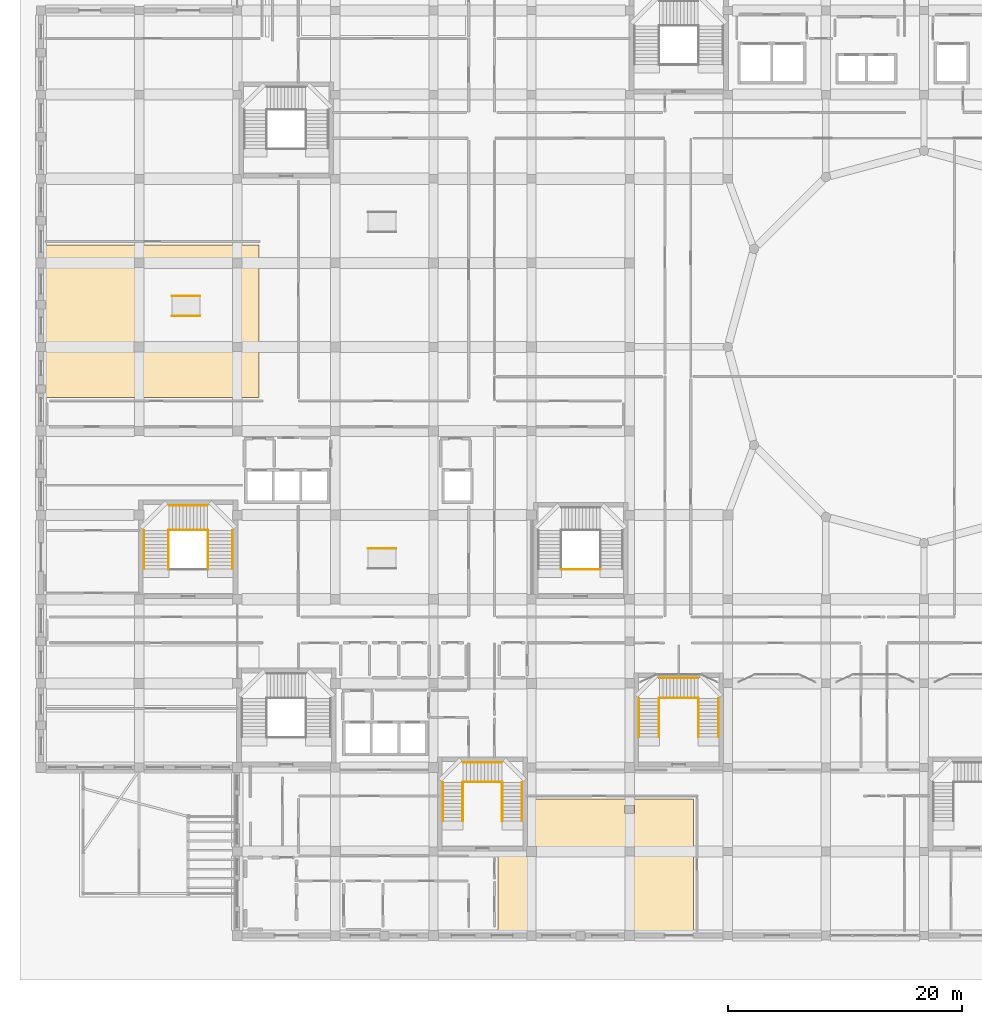
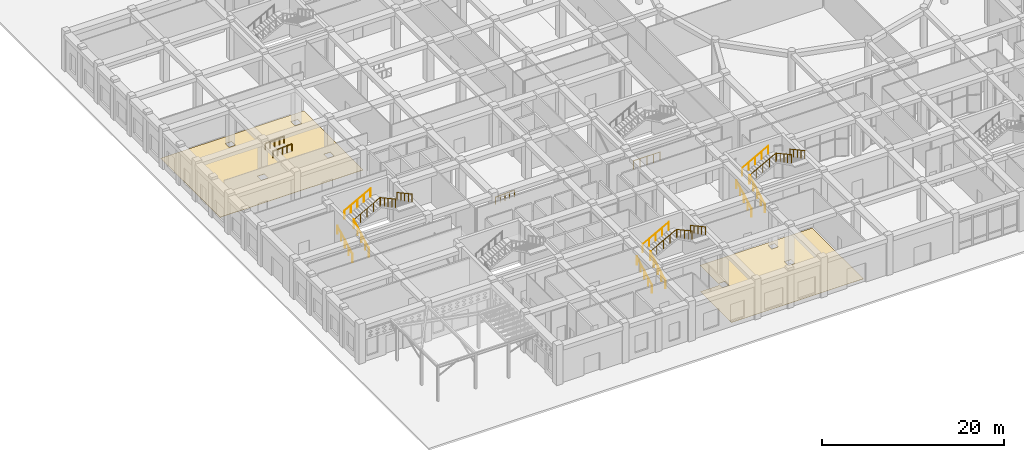
# One storey, part 80 of 84: 22 railings, 2 coverings.
"""IFC4 building model written with IfcOpenShell, lengths in metres."""

from ifc_helpers import new_model, si_unit, derived_unit, direction, frame, origin, origin_2d, place, context, subcontext, project, spatial, polyline, circle, outline, extrude, material, layer, layer_set, type_object, element, save


model = new_model("IFC4")

# Units and contexts
model_context = context("Model", 3, precision=1e-05, world=origin(), true_north=direction((0.0, 1.0)))
body_context = subcontext(model_context, "Body", "Model", "MODEL_VIEW")
ifc_project = project(units=[si_unit("LENGTHUNIT", "METRE"), si_unit("AREAUNIT", "SQUARE_METRE"), si_unit("VOLUMEUNIT", "CUBIC_METRE"), si_unit("PLANEANGLEUNIT", "RADIAN"), si_unit("MASSUNIT", "GRAM", prefix="KILO"), derived_unit("THERMALTRANSMITTANCEUNIT", [(si_unit("POWERUNIT", "WATT"), 1), (si_unit("LENGTHUNIT", "METRE"), -2), (si_unit("THERMODYNAMICTEMPERATUREUNIT", "KELVIN"), -1)])], contexts=[model_context])

# Site, building, storey
site_placement = place(None, origin())
site = spatial("IfcSite", under=ifc_project, at=site_placement, CompositionType="ELEMENT")
building_placement = place(site_placement, origin())
building = spatial("IfcBuilding", under=site, at=building_placement, Name="Veybourne Emporium", CompositionType="ELEMENT")
storey_placement = place(building_placement, origin())
storey = spatial("IfcBuildingStorey", under=building, at=storey_placement, Name="L00", CompositionType="ELEMENT", Elevation=0.0)

# Coverings
ifc_material_1 = material(Name="Venetian Terrazzo Flooring", Category="masonry")
ifc_layer_1 = layer(ifc_material_1, 0.044921875)
ifc_layer_set_1 = layer_set([ifc_layer_1], Name="Venetian Terrazzo Flooring")
covering_type_1 = type_object("IfcCoveringType", Name="Flooring_FLR-01", PredefinedType="FLOORING", material=ifc_layer_set_1)
covering_1_placement = place(storey_placement, origin())
element("IfcCovering", 1, at=covering_1_placement, inside=storey, type_object=covering_type_1, Name="L00 floor finish 03", PredefinedType="FLOORING", context=body_context, shape_type="SweptSolid", body=[
    extrude(outline(polyline([(0.43994140625, 59.14990234375), (18.6533203125, 59.14990234375), (18.6533203125, 46.06005859375), (0.60009765625, 46.06005859375), (0.590087890625, 46.059814453125), (0.574462890625, 46.05908203125), (0.554931640625, 46.05712890625), (0.53955078125, 46.0546875), (0.520263671875, 46.051025390625), (0.5048828125, 46.047119140625), (0.486083984375, 46.04150390625), (0.471435546875, 46.0361328125), (0.453369140625, 46.028564453125), (0.43994140625, 46.0224609375), (0.43994140625, 59.14990234375)]), holes=[polyline([(17.205078125, 50.804931640625), (16.39501953125, 50.804931640625), (16.39501953125, 49.9951171875), (17.205078125, 49.9951171875), (17.205078125, 50.804931640625)]), polyline([(8.830078125, 50.830078125), (7.969970703125, 50.830078125), (7.969970703125, 49.969970703125), (8.830078125, 49.969970703125), (8.830078125, 50.830078125)]), polyline([(17.22998046875, 58.030029296875), (16.3701171875, 58.030029296875), (16.3701171875, 57.169921875), (17.22998046875, 57.169921875), (17.22998046875, 58.030029296875)]), polyline([(8.804931640625, 58.0048828125), (7.9951171875, 58.0048828125), (7.9951171875, 57.195068359375), (8.804931640625, 57.195068359375), (8.804931640625, 58.0048828125)])]), origin(), (0.0, 0.0, 1.0), 0.044921875),
])
ifc_material_2 = material(Name="European Oak Parquet", Category="wood")
ifc_layer_2 = layer(ifc_material_2, 0.034912109375)
ifc_layer_set_2 = layer_set([ifc_layer_2], Name="European Oak Parquet")
covering_type_2 = type_object("IfcCoveringType", Name="Flooring_FLR-02", PredefinedType="FLOORING", material=ifc_layer_set_2)
covering_2_placement = place(storey_placement, origin())
element("IfcCovering", 2, at=covering_2_placement, inside=storey, type_object=covering_type_2, Name="L00 floor finish 06", PredefinedType="FLOORING", context=body_context, shape_type="SweptSolid", body=[
    extrude(outline(polyline([(39.07861328125, 0.453369140625), (39.086181640625, 0.471435546875), (39.09130859375, 0.486083984375), (39.09716796875, 0.5048828125), (39.100830078125, 0.520263671875), (39.104736328125, 0.53955078125), (39.107177734375, 0.554931640625), (39.10888671875, 0.574462890625), (39.10986328125, 0.590087890625), (39.110107421875, 0.60009765625), (39.110107421875, 7.2900390625), (41.25, 7.2900390625), (41.259765625, 7.290283203125), (41.275390625, 7.291015625), (41.294921875, 7.29296875), (41.310546875, 7.295166015625), (41.329833984375, 7.299072265625), (41.344970703125, 7.302978515625), (41.36376953125, 7.30859375), (41.378662109375, 7.31396484375), (41.396728515625, 7.3212890625), (41.410888671875, 7.328125), (41.42822265625, 7.33740234375), (41.441650390625, 7.345458984375), (41.4580078125, 7.3564453125), (41.470703125, 7.36572265625), (41.48583984375, 7.378173828125), (41.497314453125, 7.388671875), (41.511474609375, 7.402587890625), (41.52197265625, 7.414306640625), (41.5341796875, 7.42919921875), (41.543701171875, 7.44189453125), (41.5546875, 7.458251953125), (41.562744140625, 7.4716796875), (41.570068359375, 7.485595703125), (41.570068359375, 6.77001953125), (42.429931640625, 6.77001953125), (42.429931640625, 7.6298828125), (41.609375, 7.6298828125), (41.60986328125, 7.64013671875), (41.610107421875, 7.64990234375), (41.610107421875, 11.68994140625), (55.8798828125, 11.68994140625), (55.8798828125, 0.43994140625), (39.072265625, 0.43994140625), (39.07861328125, 0.453369140625)]), holes=[polyline([(50.804931640625, 7.60498046875), (49.9951171875, 7.60498046875), (49.9951171875, 6.794921875), (50.804931640625, 6.794921875), (50.804931640625, 7.60498046875)]), polyline([(50.794921875, 11.1650390625), (50.0048828125, 11.1650390625), (50.0048828125, 10.43505859375), (50.794921875, 10.43505859375), (50.794921875, 11.1650390625)])]), origin(), (0.0, 0.0, 1.0), 0.034912109375),
])

# Railings
ifc_material_3 = material(Name="Brushed Stainless Steel", Category="steel")
railing_type_1 = type_object("IfcRailingType", Name="Guard_GR-01", PredefinedType="GUARDRAIL", material=ifc_material_3)
railing_1_placement = place(storey_placement, frame((10.909912109375, 31.39990234375, 0.0)))
element("IfcRailing", 3, at=railing_1_placement, inside=storey, type_object=railing_type_1, Name="L00 ST-02 stair guard 1", PredefinedType="GUARDRAIL", context=body_context, shape_type="SweptSolid", body=[
    extrude(circle(Radius=0.02392578125, at=origin_2d()), frame((0.0, 0.0, 1.1259765625), z_axis=(0.0, 0.877893090839, 0.478856681124), x_axis=(-1.0, 0.0, 0.0)), (0.0, 0.0, 1.0), 3.759033203125),
    extrude(circle(Radius=0.02392578125, at=origin_2d()), frame((0.0, 3.300048828125, 2.92578125), z_axis=(0.0, 1.0, 0.0), x_axis=(-1.0, 0.0, 0.0)), (0.0, 0.0, 1.0), 0.0400390625),
    extrude(circle(Radius=0.02099609375, at=origin_2d()), origin(), (0.0, 0.0, 1.0), 1.101806640625),
    extrude(circle(Radius=0.02099609375, at=origin_2d()), frame((0.0, 0.824951171875, 0.449951171875)), (0.0, 0.0, 1.0), 1.101806640625),
    extrude(circle(Radius=0.02099609375, at=origin_2d()), frame((0.0, 1.64990234375, 0.89990234375)), (0.0, 0.0, 1.0), 1.101806640625),
    extrude(circle(Radius=0.02099609375, at=origin_2d()), frame((0.0, 2.47509765625, 1.35009765625)), (0.0, 0.0, 1.0), 1.101806640625),
    extrude(circle(Radius=0.02099609375, at=origin_2d()), frame((0.0, 3.300048828125, 1.800048828125)), (0.0, 0.0, 1.0), 1.101806640625),
    extrude(circle(Radius=0.02099609375, at=origin_2d()), frame((0.0, 3.340087890625, 1.800048828125)), (0.0, 0.0, 1.0), 1.101806640625),
])
railing_2_placement = place(storey_placement, frame((10.909912109375, 34.739990234375, 1.800048828125)))
element("IfcRailing", 4, at=railing_2_placement, inside=storey, type_object=railing_type_1, Name="L00 ST-02 stair guard 2", PredefinedType="GUARDRAIL", context=body_context, shape_type="SweptSolid", body=[
    extrude(circle(Radius=0.02392578125, at=origin_2d()), frame((0.0, 0.0, 1.1259765625), z_axis=(0.880301621994, 0.0, 0.47441443308), x_axis=(0.0, 1.0, 0.0)), (0.0, 0.0, 1.0), 3.794189453125),
    extrude(circle(Radius=0.02392578125, at=origin_2d()), frame((3.340087890625, 0.0, 2.92578125), z_axis=(1.0, 0.0, 0.0), x_axis=(0.0, 1.0, 0.0)), (0.0, 0.0, 1.0), 0.0400390625),
    extrude(circle(Radius=0.02099609375, at=origin_2d()), origin(), (0.0, 0.0, 1.0), 1.101806640625),
    extrude(circle(Radius=0.02099609375, at=origin_2d()), frame((0.8349609375, 0.0, 0.449951171875)), (0.0, 0.0, 1.0), 1.101806640625),
    extrude(circle(Radius=0.02099609375, at=origin_2d()), frame((1.669921875, 0.0, 0.89990234375)), (0.0, 0.0, 1.0), 1.101806640625),
    extrude(circle(Radius=0.02099609375, at=origin_2d()), frame((2.505126953125, 0.0, 1.35009765625)), (0.0, 0.0, 1.0), 1.101806640625),
    extrude(circle(Radius=0.02099609375, at=origin_2d()), frame((3.340087890625, 0.0, 1.800048828125)), (0.0, 0.0, 1.0), 1.101806640625),
    extrude(circle(Radius=0.02099609375, at=origin_2d()), frame((3.380126953125, 0.0, 1.800048828125)), (0.0, 0.0, 1.0), 1.101806640625),
])
railing_3_placement = place(storey_placement, frame((14.2900390625, 34.739990234375, 3.60009765625)))
element("IfcRailing", 5, at=railing_3_placement, inside=storey, type_object=railing_type_1, Name="L00 ST-02 stair guard 3", PredefinedType="GUARDRAIL", context=body_context, shape_type="SweptSolid", body=[
    extrude(circle(Radius=0.02392578125, at=origin_2d()), frame((0.0, 0.0, 1.1259765625), z_axis=(0.0, -1.0, 0.0), x_axis=(1.0, 0.0, 0.0)), (0.0, 0.0, 1.0), 0.0400390625),
    extrude(circle(Radius=0.02392578125, at=origin_2d()), frame((0.0, -0.0400390625, 1.1259765625), z_axis=(0.0, -0.877920393143, 0.478806624122), x_axis=(1.0, 0.0, 0.0)), (0.0, 0.0, 1.0), 3.759033203125),
    extrude(circle(Radius=0.02099609375, at=origin_2d()), origin(), (0.0, 0.0, 1.0), 1.101806640625),
    extrude(circle(Radius=0.02099609375, at=origin_2d()), frame((0.0, -0.0400390625, 0.0)), (0.0, 0.0, 1.0), 1.101806640625),
    extrude(circle(Radius=0.02099609375, at=origin_2d()), frame((0.0, -0.864990234375, 0.449951171875)), (0.0, 0.0, 1.0), 1.101806640625),
    extrude(circle(Radius=0.02099609375, at=origin_2d()), frame((0.0, -1.68994140625, 0.89990234375)), (0.0, 0.0, 1.0), 1.101806640625),
    extrude(circle(Radius=0.02099609375, at=origin_2d()), frame((0.0, -2.51513671875, 1.349853515625)), (0.0, 0.0, 1.0), 1.101806640625),
    extrude(circle(Radius=0.02099609375, at=origin_2d()), frame((0.0, -3.340087890625, 1.7998046875)), (0.0, 0.0, 1.0), 1.101806640625),
])
railing_4_placement = place(storey_placement, frame((44.510009765625, 31.360107421875, 0.0)))
element("IfcRailing", 6, at=railing_4_placement, inside=storey, type_object=railing_type_1, Name="L00 ST-05 stair guard 4", PredefinedType="GUARDRAIL", context=body_context, shape_type="SweptSolid", body=[
    extrude(circle(Radius=0.02392578125, at=origin_2d()), frame((0.0, 0.0, 1.1259765625), z_axis=(1.0, 0.0, 0.0), x_axis=(0.0, 1.0, 0.0)), (0.0, 0.0, 1.0), 3.3798828125),
    extrude(circle(Radius=0.02099609375, at=origin_2d()), origin(), (0.0, 0.0, 1.0), 1.101806640625),
    extrude(circle(Radius=0.02099609375, at=origin_2d()), frame((0.844970703125, 0.0, 0.0)), (0.0, 0.0, 1.0), 1.101806640625),
    extrude(circle(Radius=0.02099609375, at=origin_2d()), frame((1.68994140625, 0.0, 0.0)), (0.0, 0.0, 1.0), 1.101806640625),
    extrude(circle(Radius=0.02099609375, at=origin_2d()), frame((2.534912109375, 0.0, 0.0)), (0.0, 0.0, 1.0), 1.101806640625),
    extrude(circle(Radius=0.02099609375, at=origin_2d()), frame((3.3798828125, 0.0, 0.0)), (0.0, 0.0, 1.0), 1.101806640625),
])
railing_5_placement = place(storey_placement, frame((52.909912109375, 17.0, 0.0)))
element("IfcRailing", 7, at=railing_5_placement, inside=storey, type_object=railing_type_1, Name="L00 ST-09 stair guard 1", PredefinedType="GUARDRAIL", context=body_context, shape_type="SweptSolid", body=[
    extrude(circle(Radius=0.02392578125, at=origin_2d()), frame((0.0, 0.0, 1.1259765625), z_axis=(0.0, 0.877893090839, 0.478856681124), x_axis=(-1.0, 0.0, 0.0)), (0.0, 0.0, 1.0), 3.759033203125),
    extrude(circle(Radius=0.02392578125, at=origin_2d()), frame((0.0, 3.300048828125, 2.92578125), z_axis=(0.0, 1.0, 0.0), x_axis=(-1.0, 0.0, 0.0)), (0.0, 0.0, 1.0), 0.0400390625),
    extrude(circle(Radius=0.02099609375, at=origin_2d()), origin(), (0.0, 0.0, 1.0), 1.101806640625),
    extrude(circle(Radius=0.02099609375, at=origin_2d()), frame((0.0, 0.824951171875, 0.449951171875)), (0.0, 0.0, 1.0), 1.101806640625),
    extrude(circle(Radius=0.02099609375, at=origin_2d()), frame((0.0, 1.64990234375, 0.89990234375)), (0.0, 0.0, 1.0), 1.101806640625),
    extrude(circle(Radius=0.02099609375, at=origin_2d()), frame((0.0, 2.47509765625, 1.35009765625)), (0.0, 0.0, 1.0), 1.101806640625),
    extrude(circle(Radius=0.02099609375, at=origin_2d()), frame((0.0, 3.300048828125, 1.800048828125)), (0.0, 0.0, 1.0), 1.101806640625),
    extrude(circle(Radius=0.02099609375, at=origin_2d()), frame((0.0, 3.340087890625, 1.800048828125)), (0.0, 0.0, 1.0), 1.101806640625),
])
railing_6_placement = place(storey_placement, frame((52.909912109375, 20.340087890625, 1.800048828125)))
element("IfcRailing", 8, at=railing_6_placement, inside=storey, type_object=railing_type_1, Name="L00 ST-09 stair guard 2", PredefinedType="GUARDRAIL", context=body_context, shape_type="SweptSolid", body=[
    extrude(circle(Radius=0.02392578125, at=origin_2d()), frame((0.0, 0.0, 1.1259765625), z_axis=(0.880301621994, 0.0, 0.47441443308), x_axis=(0.0, 1.0, 0.0)), (0.0, 0.0, 1.0), 3.794189453125),
    extrude(circle(Radius=0.02392578125, at=origin_2d()), frame((3.340087890625, 0.0, 2.92578125), z_axis=(1.0, 0.0, 0.0), x_axis=(0.0, 1.0, 0.0)), (0.0, 0.0, 1.0), 0.0400390625),
    extrude(circle(Radius=0.02099609375, at=origin_2d()), origin(), (0.0, 0.0, 1.0), 1.101806640625),
    extrude(circle(Radius=0.02099609375, at=origin_2d()), frame((0.8349609375, 0.0, 0.449951171875)), (0.0, 0.0, 1.0), 1.101806640625),
    extrude(circle(Radius=0.02099609375, at=origin_2d()), frame((1.669921875, 0.0, 0.89990234375)), (0.0, 0.0, 1.0), 1.101806640625),
    extrude(circle(Radius=0.02099609375, at=origin_2d()), frame((2.505126953125, 0.0, 1.35009765625)), (0.0, 0.0, 1.0), 1.101806640625),
    extrude(circle(Radius=0.02099609375, at=origin_2d()), frame((3.340087890625, 0.0, 1.800048828125)), (0.0, 0.0, 1.0), 1.101806640625),
    extrude(circle(Radius=0.02099609375, at=origin_2d()), frame((3.380126953125, 0.0, 1.800048828125)), (0.0, 0.0, 1.0), 1.101806640625),
])
railing_7_placement = place(storey_placement, frame((56.2900390625, 20.340087890625, 3.60009765625)))
element("IfcRailing", 9, at=railing_7_placement, inside=storey, type_object=railing_type_1, Name="L00 ST-09 stair guard 3", PredefinedType="GUARDRAIL", context=body_context, shape_type="SweptSolid", body=[
    extrude(circle(Radius=0.02392578125, at=origin_2d()), frame((0.0, 0.0, 1.1259765625), z_axis=(0.0, -1.0, 0.0), x_axis=(1.0, 0.0, 0.0)), (0.0, 0.0, 1.0), 0.0400390625),
    extrude(circle(Radius=0.02392578125, at=origin_2d()), frame((0.0, -0.0400390625, 1.1259765625), z_axis=(0.0, -0.877920393143, 0.478806624122), x_axis=(1.0, 0.0, 0.0)), (0.0, 0.0, 1.0), 3.759033203125),
    extrude(circle(Radius=0.02099609375, at=origin_2d()), origin(), (0.0, 0.0, 1.0), 1.101806640625),
    extrude(circle(Radius=0.02099609375, at=origin_2d()), frame((0.0, -0.0400390625, 0.0)), (0.0, 0.0, 1.0), 1.101806640625),
    extrude(circle(Radius=0.02099609375, at=origin_2d()), frame((0.0, -0.864990234375, 0.449951171875)), (0.0, 0.0, 1.0), 1.101806640625),
    extrude(circle(Radius=0.02099609375, at=origin_2d()), frame((0.0, -1.68994140625, 0.89990234375)), (0.0, 0.0, 1.0), 1.101806640625),
    extrude(circle(Radius=0.02099609375, at=origin_2d()), frame((0.0, -2.51513671875, 1.349853515625)), (0.0, 0.0, 1.0), 1.101806640625),
    extrude(circle(Radius=0.02099609375, at=origin_2d()), frame((0.0, -3.340087890625, 1.7998046875)), (0.0, 0.0, 1.0), 1.101806640625),
])
railing_8_placement = place(storey_placement, frame((36.110107421875, 9.800048828125, 0.0)))
element("IfcRailing", 10, at=railing_8_placement, inside=storey, type_object=railing_type_1, Name="L00 ST-12 stair guard 1", PredefinedType="GUARDRAIL", context=body_context, shape_type="SweptSolid", body=[
    extrude(circle(Radius=0.02392578125, at=origin_2d()), frame((0.0, 0.0, 1.1259765625), z_axis=(0.0, 0.877893090839, 0.478856681124), x_axis=(-1.0, 0.0, 0.0)), (0.0, 0.0, 1.0), 3.759033203125),
    extrude(circle(Radius=0.02392578125, at=origin_2d()), frame((0.0, 3.300048828125, 2.92578125), z_axis=(0.0, 1.0, 0.0), x_axis=(-1.0, 0.0, 0.0)), (0.0, 0.0, 1.0), 0.039794921875),
    extrude(circle(Radius=0.02099609375, at=origin_2d()), origin(), (0.0, 0.0, 1.0), 1.101806640625),
    extrude(circle(Radius=0.02099609375, at=origin_2d()), frame((0.0, 0.824951171875, 0.449951171875)), (0.0, 0.0, 1.0), 1.101806640625),
    extrude(circle(Radius=0.02099609375, at=origin_2d()), frame((0.0, 1.64990234375, 0.89990234375)), (0.0, 0.0, 1.0), 1.101806640625),
    extrude(circle(Radius=0.02099609375, at=origin_2d()), frame((0.0, 2.47509765625, 1.35009765625)), (0.0, 0.0, 1.0), 1.101806640625),
    extrude(circle(Radius=0.02099609375, at=origin_2d()), frame((0.0, 3.300048828125, 1.800048828125)), (0.0, 0.0, 1.0), 1.101806640625),
    extrude(circle(Radius=0.02099609375, at=origin_2d()), frame((0.0, 3.33984375, 1.800048828125)), (0.0, 0.0, 1.0), 1.101806640625),
])
railing_9_placement = place(storey_placement, frame((36.110107421875, 13.139892578125, 1.800048828125)))
element("IfcRailing", 11, at=railing_9_placement, inside=storey, type_object=railing_type_1, Name="L00 ST-12 stair guard 2", PredefinedType="GUARDRAIL", context=body_context, shape_type="SweptSolid", body=[
    extrude(circle(Radius=0.02392578125, at=origin_2d()), frame((0.0, 0.0, 1.1259765625), z_axis=(0.880287138734, 0.0, 0.47444130657), x_axis=(0.0, 1.0, 0.0)), (0.0, 0.0, 1.0), 3.7939453125),
    extrude(circle(Radius=0.02392578125, at=origin_2d()), frame((3.33984375, 0.0, 2.92578125), z_axis=(1.0, 0.0, 0.0), x_axis=(0.0, 1.0, 0.0)), (0.0, 0.0, 1.0), 0.0400390625),
    extrude(circle(Radius=0.02099609375, at=origin_2d()), origin(), (0.0, 0.0, 1.0), 1.101806640625),
    extrude(circle(Radius=0.02099609375, at=origin_2d()), frame((0.8349609375, 0.0, 0.449951171875)), (0.0, 0.0, 1.0), 1.101806640625),
    extrude(circle(Radius=0.02099609375, at=origin_2d()), frame((1.669921875, 0.0, 0.89990234375)), (0.0, 0.0, 1.0), 1.101806640625),
    extrude(circle(Radius=0.02099609375, at=origin_2d()), frame((2.5048828125, 0.0, 1.35009765625)), (0.0, 0.0, 1.0), 1.101806640625),
    extrude(circle(Radius=0.02099609375, at=origin_2d()), frame((3.33984375, 0.0, 1.800048828125)), (0.0, 0.0, 1.0), 1.101806640625),
    extrude(circle(Radius=0.02099609375, at=origin_2d()), frame((3.3798828125, 0.0, 1.800048828125)), (0.0, 0.0, 1.0), 1.101806640625),
])
railing_10_placement = place(storey_placement, frame((39.489990234375, 13.139892578125, 3.60009765625)))
element("IfcRailing", 12, at=railing_10_placement, inside=storey, type_object=railing_type_1, Name="L00 ST-12 stair guard 3", PredefinedType="GUARDRAIL", context=body_context, shape_type="SweptSolid", body=[
    extrude(circle(Radius=0.02392578125, at=origin_2d()), frame((0.0, 0.0, 1.1259765625), z_axis=(0.0, -1.0, 0.0), x_axis=(1.0, 0.0, 0.0)), (0.0, 0.0, 1.0), 0.039794921875),
    extrude(circle(Radius=0.02392578125, at=origin_2d()), frame((0.0, -0.039794921875, 1.1259765625), z_axis=(0.0, -0.877920393143, 0.478806624122), x_axis=(1.0, 0.0, 0.0)), (0.0, 0.0, 1.0), 3.759033203125),
    extrude(circle(Radius=0.02099609375, at=origin_2d()), origin(), (0.0, 0.0, 1.0), 1.101806640625),
    extrude(circle(Radius=0.02099609375, at=origin_2d()), frame((0.0, -0.039794921875, 0.0)), (0.0, 0.0, 1.0), 1.101806640625),
    extrude(circle(Radius=0.02099609375, at=origin_2d()), frame((0.0, -0.86474609375, 0.449951171875)), (0.0, 0.0, 1.0), 1.101806640625),
    extrude(circle(Radius=0.02099609375, at=origin_2d()), frame((0.0, -1.68994140625, 0.89990234375)), (0.0, 0.0, 1.0), 1.101806640625),
    extrude(circle(Radius=0.02099609375, at=origin_2d()), frame((0.0, -2.514892578125, 1.349853515625)), (0.0, 0.0, 1.0), 1.101806640625),
    extrude(circle(Radius=0.02099609375, at=origin_2d()), frame((0.0, -3.33984375, 1.7998046875)), (0.0, 0.0, 1.0), 1.101806640625),
])
railing_type_2 = type_object("IfcRailingType", Name="Handrail_HR-01", PredefinedType="HANDRAIL", material=ifc_material_3)
railing_11_placement = place(storey_placement, frame((8.81005859375, 31.39990234375, 0.14990234375)))
element("IfcRailing", 13, at=railing_11_placement, inside=storey, type_object=railing_type_2, Name="L00 ST-02 pitch handrail 1", PredefinedType="HANDRAIL", context=body_context, shape_type="SweptSolid", body=[
    extrude(circle(Radius=0.02392578125, at=origin_2d()), frame((0.0, 0.0, 0.92578125), z_axis=(0.0, 0.877893090839, 0.478856681124), x_axis=(-1.0, 0.0, 0.0)), (0.0, 0.0, 1.0), 3.759033203125),
    extrude(circle(Radius=0.02099609375, at=origin_2d()), frame((0.0, 0.0, -0.14990234375)), (0.0, 0.0, 1.0), 1.0517578125),
    extrude(circle(Radius=0.02099609375, at=origin_2d()), frame((0.0, 0.824951171875, 0.300048828125)), (0.0, 0.0, 1.0), 1.0517578125),
    extrude(circle(Radius=0.02099609375, at=origin_2d()), frame((0.0, 1.64990234375, 0.75)), (0.0, 0.0, 1.0), 1.0517578125),
    extrude(circle(Radius=0.02099609375, at=origin_2d()), frame((0.0, 2.47509765625, 1.2001953125)), (0.0, 0.0, 1.0), 1.0517578125),
    extrude(circle(Radius=0.02099609375, at=origin_2d()), frame((0.0, 3.300048828125, 1.650146484375)), (0.0, 0.0, 1.0), 1.0517578125),
])
railing_12_placement = place(storey_placement, frame((10.949951171875, 36.840087890625, 1.949951171875)))
element("IfcRailing", 14, at=railing_12_placement, inside=storey, type_object=railing_type_2, Name="L00 ST-02 pitch handrail 2", PredefinedType="HANDRAIL", context=body_context, shape_type="SweptSolid", body=[
    extrude(circle(Radius=0.02392578125, at=origin_2d()), frame((0.0, 0.0, 0.92578125), z_axis=(0.877893090839, 0.0, 0.478856681124), x_axis=(0.0, 1.0, 0.0)), (0.0, 0.0, 1.0), 3.759033203125),
    extrude(circle(Radius=0.02099609375, at=origin_2d()), frame((0.0, 0.0, -0.14990234375)), (0.0, 0.0, 1.0), 1.0517578125),
    extrude(circle(Radius=0.02099609375, at=origin_2d()), frame((0.824951171875, 0.0, 0.300048828125)), (0.0, 0.0, 1.0), 1.0517578125),
    extrude(circle(Radius=0.02099609375, at=origin_2d()), frame((1.64990234375, 0.0, 0.75)), (0.0, 0.0, 1.0), 1.0517578125),
    extrude(circle(Radius=0.02099609375, at=origin_2d()), frame((2.47509765625, 0.0, 1.2001953125)), (0.0, 0.0, 1.0), 1.0517578125),
    extrude(circle(Radius=0.02099609375, at=origin_2d()), frame((3.300048828125, 0.0, 1.650146484375)), (0.0, 0.0, 1.0), 1.0517578125),
])
railing_13_placement = place(storey_placement, frame((16.389892578125, 34.699951171875, 3.75)))
element("IfcRailing", 15, at=railing_13_placement, inside=storey, type_object=railing_type_2, Name="L00 ST-02 pitch handrail 3", PredefinedType="HANDRAIL", context=body_context, shape_type="SweptSolid", body=[
    extrude(circle(Radius=0.02392578125, at=origin_2d()), frame((0.0, 0.0, 0.92578125), z_axis=(0.0, -0.877893090839, 0.478856681124), x_axis=(1.0, 0.0, 0.0)), (0.0, 0.0, 1.0), 3.759033203125),
    extrude(circle(Radius=0.02099609375, at=origin_2d()), frame((0.0, 0.0, -0.14990234375)), (0.0, 0.0, 1.0), 1.0517578125),
    extrude(circle(Radius=0.02099609375, at=origin_2d()), frame((0.0, -0.824951171875, 0.300048828125)), (0.0, 0.0, 1.0), 1.0517578125),
    extrude(circle(Radius=0.02099609375, at=origin_2d()), frame((0.0, -1.64990234375, 0.75)), (0.0, 0.0, 1.0), 1.0517578125),
    extrude(circle(Radius=0.02099609375, at=origin_2d()), frame((0.0, -2.47509765625, 1.2001953125)), (0.0, 0.0, 1.0), 1.0517578125),
    extrude(circle(Radius=0.02099609375, at=origin_2d()), frame((0.0, -3.300048828125, 1.650146484375)), (0.0, 0.0, 1.0), 1.0517578125),
])
railing_14_placement = place(storey_placement, frame((51.2099609375, 17.0, 0.14990234375)))
element("IfcRailing", 16, at=railing_14_placement, inside=storey, type_object=railing_type_2, Name="L00 ST-09 pitch handrail 1", PredefinedType="HANDRAIL", context=body_context, shape_type="SweptSolid", body=[
    extrude(circle(Radius=0.02392578125, at=origin_2d()), frame((0.0, 0.0, 0.92578125), z_axis=(0.0, 0.877893090839, 0.478856681124), x_axis=(-1.0, 0.0, 0.0)), (0.0, 0.0, 1.0), 3.759033203125),
    extrude(circle(Radius=0.02099609375, at=origin_2d()), frame((0.0, 0.0, -0.14990234375)), (0.0, 0.0, 1.0), 1.0517578125),
    extrude(circle(Radius=0.02099609375, at=origin_2d()), frame((0.0, 0.824951171875, 0.300048828125)), (0.0, 0.0, 1.0), 1.0517578125),
    extrude(circle(Radius=0.02099609375, at=origin_2d()), frame((0.0, 1.64990234375, 0.75)), (0.0, 0.0, 1.0), 1.0517578125),
    extrude(circle(Radius=0.02099609375, at=origin_2d()), frame((0.0, 2.47509765625, 1.2001953125)), (0.0, 0.0, 1.0), 1.0517578125),
    extrude(circle(Radius=0.02099609375, at=origin_2d()), frame((0.0, 3.300048828125, 1.650146484375)), (0.0, 0.0, 1.0), 1.0517578125),
])
railing_15_placement = place(storey_placement, frame((52.949951171875, 22.0400390625, 1.949951171875)))
element("IfcRailing", 17, at=railing_15_placement, inside=storey, type_object=railing_type_2, Name="L00 ST-09 pitch handrail 2", PredefinedType="HANDRAIL", context=body_context, shape_type="SweptSolid", body=[
    extrude(circle(Radius=0.02392578125, at=origin_2d()), frame((0.0, 0.0, 0.92578125), z_axis=(0.877893090839, 0.0, 0.478856681124), x_axis=(0.0, 1.0, 0.0)), (0.0, 0.0, 1.0), 3.759033203125),
    extrude(circle(Radius=0.02099609375, at=origin_2d()), frame((0.0, 0.0, -0.14990234375)), (0.0, 0.0, 1.0), 1.0517578125),
    extrude(circle(Radius=0.02099609375, at=origin_2d()), frame((0.824951171875, 0.0, 0.300048828125)), (0.0, 0.0, 1.0), 1.0517578125),
    extrude(circle(Radius=0.02099609375, at=origin_2d()), frame((1.64990234375, 0.0, 0.75)), (0.0, 0.0, 1.0), 1.0517578125),
    extrude(circle(Radius=0.02099609375, at=origin_2d()), frame((2.47509765625, 0.0, 1.2001953125)), (0.0, 0.0, 1.0), 1.0517578125),
    extrude(circle(Radius=0.02099609375, at=origin_2d()), frame((3.300048828125, 0.0, 1.650146484375)), (0.0, 0.0, 1.0), 1.0517578125),
])
railing_16_placement = place(storey_placement, frame((57.989990234375, 20.300048828125, 3.75)))
element("IfcRailing", 18, at=railing_16_placement, inside=storey, type_object=railing_type_2, Name="L00 ST-09 pitch handrail 3", PredefinedType="HANDRAIL", context=body_context, shape_type="SweptSolid", body=[
    extrude(circle(Radius=0.02392578125, at=origin_2d()), frame((0.0, 0.0, 0.92578125), z_axis=(0.0, -0.877893090839, 0.478856681124), x_axis=(1.0, 0.0, 0.0)), (0.0, 0.0, 1.0), 3.759033203125),
    extrude(circle(Radius=0.02099609375, at=origin_2d()), frame((0.0, 0.0, -0.14990234375)), (0.0, 0.0, 1.0), 1.0517578125),
    extrude(circle(Radius=0.02099609375, at=origin_2d()), frame((0.0, -0.824951171875, 0.300048828125)), (0.0, 0.0, 1.0), 1.0517578125),
    extrude(circle(Radius=0.02099609375, at=origin_2d()), frame((0.0, -1.64990234375, 0.75)), (0.0, 0.0, 1.0), 1.0517578125),
    extrude(circle(Radius=0.02099609375, at=origin_2d()), frame((0.0, -2.47509765625, 1.2001953125)), (0.0, 0.0, 1.0), 1.0517578125),
    extrude(circle(Radius=0.02099609375, at=origin_2d()), frame((0.0, -3.300048828125, 1.650146484375)), (0.0, 0.0, 1.0), 1.0517578125),
])
railing_17_placement = place(storey_placement, frame((34.409912109375, 9.800048828125, 0.14990234375)))
element("IfcRailing", 19, at=railing_17_placement, inside=storey, type_object=railing_type_2, Name="L00 ST-12 pitch handrail 1", PredefinedType="HANDRAIL", context=body_context, shape_type="SweptSolid", body=[
    extrude(circle(Radius=0.02392578125, at=origin_2d()), frame((0.0, 0.0, 0.92578125), z_axis=(0.0, 0.877893090839, 0.478856681124), x_axis=(-1.0, 0.0, 0.0)), (0.0, 0.0, 1.0), 3.759033203125),
    extrude(circle(Radius=0.02099609375, at=origin_2d()), frame((0.0, 0.0, -0.14990234375)), (0.0, 0.0, 1.0), 1.0517578125),
    extrude(circle(Radius=0.02099609375, at=origin_2d()), frame((0.0, 0.824951171875, 0.300048828125)), (0.0, 0.0, 1.0), 1.0517578125),
    extrude(circle(Radius=0.02099609375, at=origin_2d()), frame((0.0, 1.64990234375, 0.75)), (0.0, 0.0, 1.0), 1.0517578125),
    extrude(circle(Radius=0.02099609375, at=origin_2d()), frame((0.0, 2.47509765625, 1.2001953125)), (0.0, 0.0, 1.0), 1.0517578125),
    extrude(circle(Radius=0.02099609375, at=origin_2d()), frame((0.0, 3.300048828125, 1.650146484375)), (0.0, 0.0, 1.0), 1.0517578125),
])
railing_18_placement = place(storey_placement, frame((36.14990234375, 14.840087890625, 1.949951171875)))
element("IfcRailing", 20, at=railing_18_placement, inside=storey, type_object=railing_type_2, Name="L00 ST-12 pitch handrail 2", PredefinedType="HANDRAIL", context=body_context, shape_type="SweptSolid", body=[
    extrude(circle(Radius=0.02392578125, at=origin_2d()), frame((0.0, 0.0, 0.92578125), z_axis=(0.877893090839, 0.0, 0.478856681124), x_axis=(0.0, 1.0, 0.0)), (0.0, 0.0, 1.0), 3.759033203125),
    extrude(circle(Radius=0.02099609375, at=origin_2d()), frame((0.0, 0.0, -0.14990234375)), (0.0, 0.0, 1.0), 1.0517578125),
    extrude(circle(Radius=0.02099609375, at=origin_2d()), frame((0.824951171875, 0.0, 0.300048828125)), (0.0, 0.0, 1.0), 1.0517578125),
    extrude(circle(Radius=0.02099609375, at=origin_2d()), frame((1.64990234375, 0.0, 0.75)), (0.0, 0.0, 1.0), 1.0517578125),
    extrude(circle(Radius=0.02099609375, at=origin_2d()), frame((2.47509765625, 0.0, 1.2001953125)), (0.0, 0.0, 1.0), 1.0517578125),
    extrude(circle(Radius=0.02099609375, at=origin_2d()), frame((3.300048828125, 0.0, 1.650146484375)), (0.0, 0.0, 1.0), 1.0517578125),
])
railing_19_placement = place(storey_placement, frame((41.18994140625, 13.10009765625, 3.75)))
element("IfcRailing", 21, at=railing_19_placement, inside=storey, type_object=railing_type_2, Name="L00 ST-12 pitch handrail 3", PredefinedType="HANDRAIL", context=body_context, shape_type="SweptSolid", body=[
    extrude(circle(Radius=0.02392578125, at=origin_2d()), frame((0.0, 0.0, 0.92578125), z_axis=(0.0, -0.877893090839, 0.478856681124), x_axis=(1.0, 0.0, 0.0)), (0.0, 0.0, 1.0), 3.759033203125),
    extrude(circle(Radius=0.02099609375, at=origin_2d()), frame((0.0, 0.0, -0.14990234375)), (0.0, 0.0, 1.0), 1.0517578125),
    extrude(circle(Radius=0.02099609375, at=origin_2d()), frame((0.0, -0.824951171875, 0.300048828125)), (0.0, 0.0, 1.0), 1.0517578125),
    extrude(circle(Radius=0.02099609375, at=origin_2d()), frame((0.0, -1.64990234375, 0.75)), (0.0, 0.0, 1.0), 1.0517578125),
    extrude(circle(Radius=0.02099609375, at=origin_2d()), frame((0.0, -2.47509765625, 1.2001953125)), (0.0, 0.0, 1.0), 1.0517578125),
    extrude(circle(Radius=0.02099609375, at=origin_2d()), frame((0.0, -3.300048828125, 1.650146484375)), (0.0, 0.0, 1.0), 1.0517578125),
])
for number, where, name in (
    (22, (11.199951171875, 53.050048828125, 0.0), "Ramp RMP-01 handrail 1"),
    (23, (11.199951171875, 54.75, 0.0), "Ramp RMP-01 handrail 2"),
):
    element("IfcRailing", number, at=place(storey_placement, frame(where)), inside=storey, type_object=railing_type_2, Name=name, PredefinedType="HANDRAIL", context=body_context, shape_type="SweptSolid", body=[
        extrude(circle(Radius=0.02392578125, at=origin_2d()), frame((0.0, 0.0, 0.92578125), z_axis=(0.998750057719, 0.0, 0.049983219245), x_axis=(0.0, 1.0, 0.0)), (0.0, 0.0, 1.0), 2.403076171875),
        extrude(circle(Radius=0.02099609375, at=origin_2d()), origin(), (0.0, 0.0, 1.0), 0.90185546875),
        extrude(circle(Radius=0.02099609375, at=origin_2d()), frame((0.60009765625, 0.0, 0.030029296875)), (0.0, 0.0, 1.0), 0.90185546875),
        extrude(circle(Radius=0.02099609375, at=origin_2d()), frame((1.2001953125, 0.0, 0.06005859375)), (0.0, 0.0, 1.0), 0.90185546875),
        extrude(circle(Radius=0.02099609375, at=origin_2d()), frame((1.800048828125, 0.0, 0.090087890625)), (0.0, 0.0, 1.0), 0.90185546875),
        extrude(circle(Radius=0.02099609375, at=origin_2d()), frame((2.400146484375, 0.0, 0.1201171875)), (0.0, 0.0, 1.0), 0.90185546875),
    ])
railing_20_placement = place(storey_placement, frame((28.0, 33.14990234375, 0.0)))
element("IfcRailing", 24, at=railing_20_placement, inside=storey, type_object=railing_type_2, Name="Ramp RMP-02 handrail 2", PredefinedType="HANDRAIL", context=body_context, shape_type="SweptSolid", body=[
    extrude(circle(Radius=0.02392578125, at=origin_2d()), frame((0.0, 0.0, 0.92578125), z_axis=(0.998749803871, 0.0, 0.049988291303), x_axis=(0.0, 1.0, 0.0)), (0.0, 0.0, 1.0), 2.40283203125),
    extrude(circle(Radius=0.02099609375, at=origin_2d()), origin(), (0.0, 0.0, 1.0), 0.90185546875),
    extrude(circle(Radius=0.02099609375, at=origin_2d()), frame((0.60009765625, 0.0, 0.030029296875)), (0.0, 0.0, 1.0), 0.90185546875),
    extrude(circle(Radius=0.02099609375, at=origin_2d()), frame((1.199951171875, 0.0, 0.06005859375)), (0.0, 0.0, 1.0), 0.90185546875),
    extrude(circle(Radius=0.02099609375, at=origin_2d()), frame((1.7998046875, 0.0, 0.090087890625)), (0.0, 0.0, 1.0), 0.90185546875),
    extrude(circle(Radius=0.02099609375, at=origin_2d()), frame((2.39990234375, 0.0, 0.1201171875)), (0.0, 0.0, 1.0), 0.90185546875),
])

save(model, "model.ifc")
